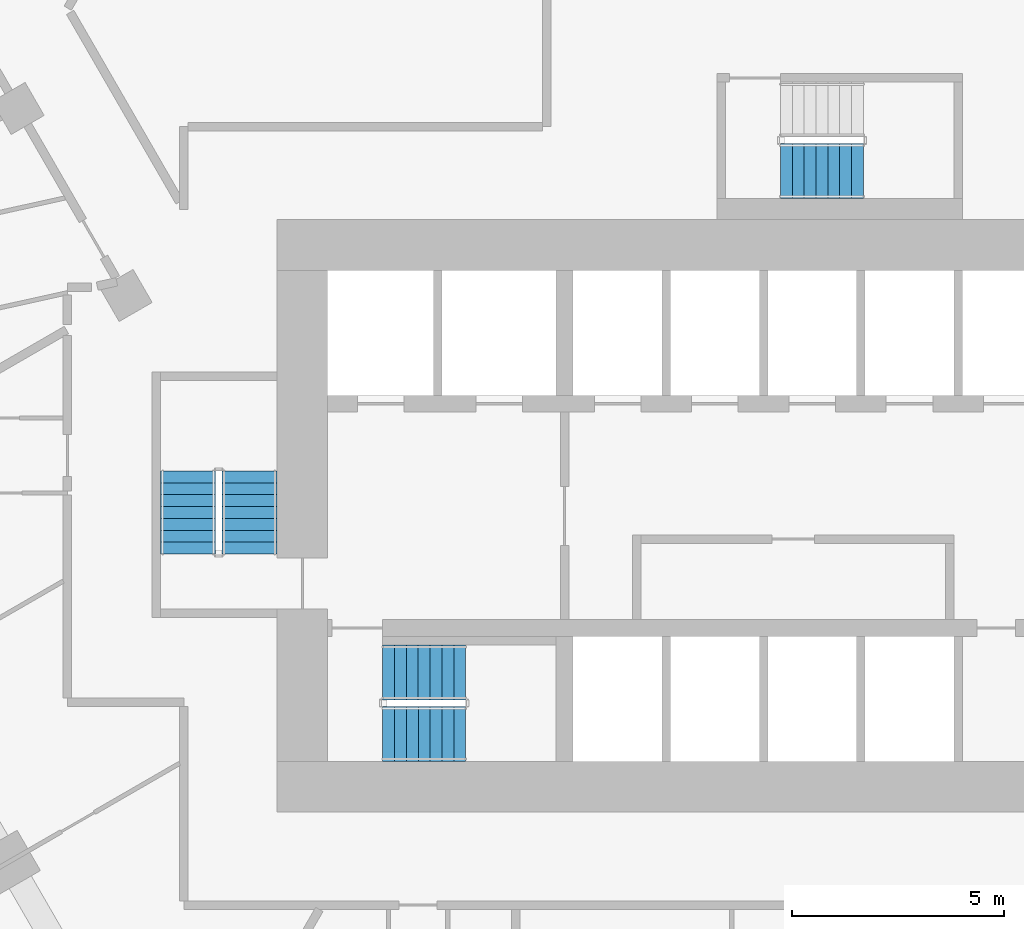
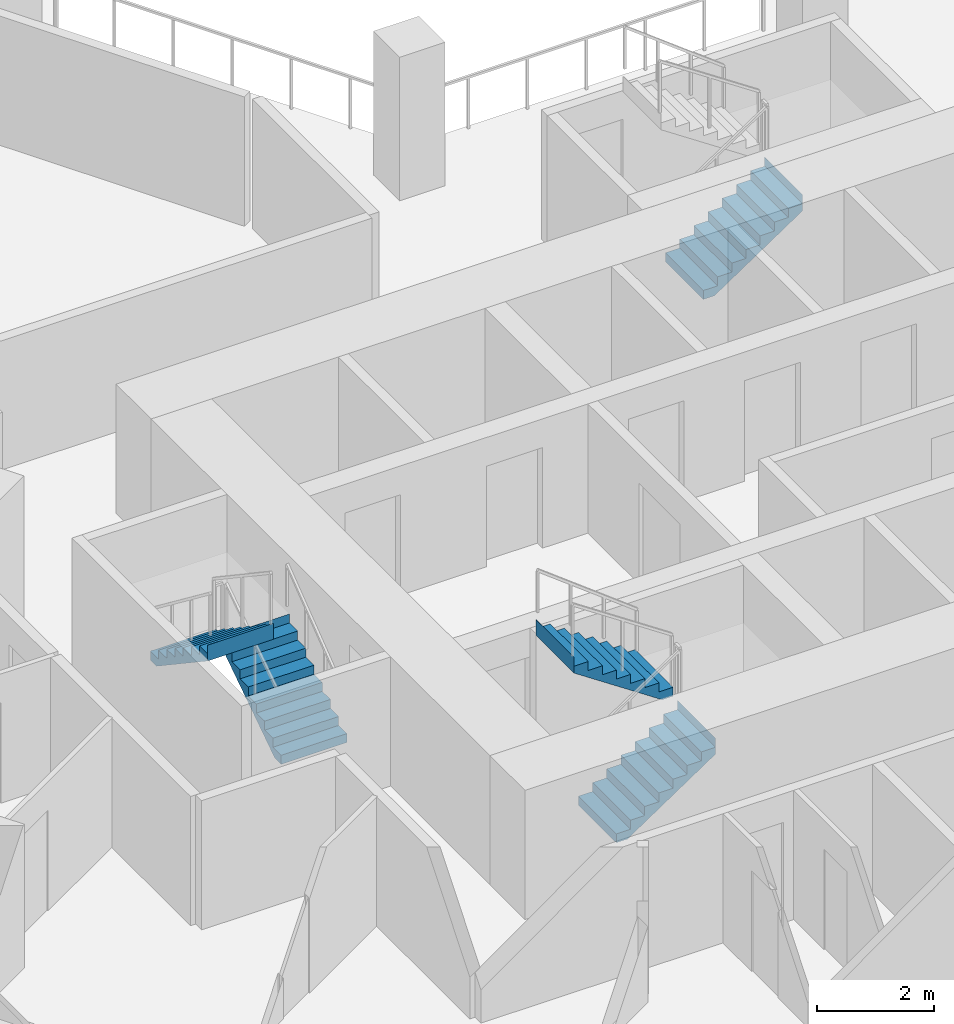
# One storey, part 16 of 21: 5 stair flights, 3 elements without a shape of their own.
"""IFC4 building model written with IfcOpenShell, lengths in metres."""

from ifc_helpers import new_model, si_unit, direction, frame, origin, place, context, subcontext, project, spatial, triangles, material, type_object, element, aggregate, save


model = new_model("IFC4")

# Units and contexts
model_context = context("Model", 3, precision=1e-05, world=origin(), true_north=direction((0.0, 1.0)))
body_context = subcontext(model_context, "Body", "Model", "MODEL_VIEW")
ifc_project = project(units=[si_unit("LENGTHUNIT", "METRE"), si_unit("AREAUNIT", "SQUARE_METRE"), si_unit("VOLUMEUNIT", "CUBIC_METRE"), si_unit("PLANEANGLEUNIT", "RADIAN"), si_unit("MASSUNIT", "GRAM", prefix="KILO")], contexts=[model_context])

# Site, building, storey
site_placement = place(None, origin())
site = spatial("IfcSite", under=ifc_project, at=site_placement, CompositionType="ELEMENT")
building_placement = place(site_placement, origin())
building = spatial("IfcBuilding", under=site, at=building_placement, Name="Beryl Residences", CompositionType="ELEMENT")
storey_placement = place(building_placement, frame((0.0, 0.0, 47.39990234375)))
storey = spatial("IfcBuildingStorey", under=building, at=storey_placement, Name="L14", CompositionType="ELEMENT", Elevation=47.39990234375)

# Stair, stair flights
ifc_material_1 = material(Name="Concrete C40/50", Category="concrete")
stair_type = type_object("IfcStairType", Name="ST1 protected exit stair, half-turn, 1300 mm flights", PredefinedType="HALF_TURN_STAIR", material=ifc_material_1)
stair_1_placement = place(storey_placement, origin())
stair_1 = element("IfcStair", 1, at=stair_1_placement, inside=storey, type_object=stair_type, Name="L14 PROTECTED EXIT STAIR ST-1", PredefinedType="HALF_TURN_STAIR")
ifc_material_2 = material(Name="Concrete C40/50", Category="concrete")
stair_flight_type = type_object("IfcStairFlightType", Name="SF1 stair flight 1300 mm", PredefinedType="STRAIGHT", material=ifc_material_2)
stair_flight_1_placement = place(storey_placement, frame((-10.800048828125, -17.14990234375, 0.0), z_axis=(0.0, 0.0, 1.0), x_axis=(1.0, 0.0, 0.0)))
stair_flight_1 = element("IfcStairFlight", 2, at=stair_flight_1_placement, type_object=stair_flight_type, Name="ST-1 flight 1", NumberOfRisers=8, NumberOfTreads=7, PredefinedType="STRAIGHT", RiserHeight=0.1875, TreadLength=0.28, context=body_context, shape_type="Tessellation", body=[
    triangles([(0.0, -0.64990234375, 0.0), (0.0, -0.324951171875, 0.0), (0.0, 0.0, 0.0), (0.0, 0.324951171875, 0.0), (0.0, 0.64990234375, 0.0), (0.0, -0.64990234375, 0.1875), (0.0, -0.324951171875, 0.1875), (0.0, 0.0, 0.1875), (0.0, 0.324951171875, 0.1875), (0.0, 0.64990234375, 0.1875), (0.280029296875, -0.64990234375, 0.1875), (0.280029296875, -0.324951171875, 0.1875), (0.280029296875, 0.0, 0.1875), (0.280029296875, 0.324951171875, 0.1875), (0.280029296875, 0.64990234375, 0.1875), (0.280029296875, -0.64990234375, 0.375), (0.280029296875, -0.324951171875, 0.375), (0.280029296875, 0.0, 0.375), (0.280029296875, 0.324951171875, 0.375), (0.280029296875, 0.64990234375, 0.375), (0.56005859375, -0.64990234375, 0.375), (0.56005859375, -0.324951171875, 0.375), (0.56005859375, 0.0, 0.375), (0.56005859375, 0.324951171875, 0.375), (0.56005859375, 0.64990234375, 0.375), (0.56005859375, -0.64990234375, 0.5625), (0.56005859375, -0.324951171875, 0.5625), (0.56005859375, 0.0, 0.5625), (0.56005859375, 0.324951171875, 0.5625), (0.56005859375, 0.64990234375, 0.5625), (0.840087890625, -0.64990234375, 0.5625), (0.840087890625, -0.324951171875, 0.5625), (0.840087890625, 0.0, 0.5625), (0.840087890625, 0.324951171875, 0.5625), (0.840087890625, 0.64990234375, 0.5625), (0.840087890625, -0.64990234375, 0.75), (0.840087890625, -0.324951171875, 0.75), (0.840087890625, 0.0, 0.75), (0.840087890625, 0.324951171875, 0.75), (0.840087890625, 0.64990234375, 0.75), (1.1201171875, -0.64990234375, 0.75), (1.1201171875, -0.324951171875, 0.75), (1.1201171875, 0.0, 0.75), (1.1201171875, 0.324951171875, 0.75), (1.1201171875, 0.64990234375, 0.75), (1.1201171875, -0.64990234375, 0.9375), (1.1201171875, -0.324951171875, 0.9375), (1.1201171875, 0.0, 0.9375), (1.1201171875, 0.324951171875, 0.9375), (1.1201171875, 0.64990234375, 0.9375), (1.39990234375, -0.64990234375, 0.9375), (1.39990234375, -0.324951171875, 0.9375), (1.39990234375, 0.0, 0.9375), (1.39990234375, 0.324951171875, 0.9375), (1.39990234375, 0.64990234375, 0.9375), (1.39990234375, -0.64990234375, 1.125), (1.39990234375, -0.324951171875, 1.125), (1.39990234375, 0.0, 1.125), (1.39990234375, 0.324951171875, 1.125), (1.39990234375, 0.64990234375, 1.125), (1.679931640625, -0.64990234375, 1.125), (1.679931640625, -0.324951171875, 1.125), (1.679931640625, 0.0, 1.125), (1.679931640625, 0.324951171875, 1.125), (1.679931640625, 0.64990234375, 1.125), (1.679931640625, -0.64990234375, 1.3125), (1.679931640625, -0.324951171875, 1.3125), (1.679931640625, 0.0, 1.3125), (1.679931640625, 0.324951171875, 1.3125), (1.679931640625, 0.64990234375, 1.3125), (1.9599609375, -0.64990234375, 1.3125), (1.9599609375, -0.324951171875, 1.3125), (1.9599609375, 0.0, 1.3125), (1.9599609375, 0.324951171875, 1.3125), (1.9599609375, 0.64990234375, 1.3125), (1.9599609375, -0.64990234375, 1.5), (1.9599609375, -0.324951171875, 1.5), (1.9599609375, 0.0, 1.5), (1.9599609375, 0.324951171875, 1.5), (1.9599609375, 0.64990234375, 1.5), (1.9609375, -0.64990234375, 1.5), (1.9609375, -0.324951171875, 1.5), (1.9609375, 0.0, 1.5), (1.9609375, 0.324951171875, 1.5), (1.9609375, 0.64990234375, 1.5), (1.9609375, -0.64990234375, 1.16796875), (1.9609375, -0.324951171875, 1.16796875), (1.9609375, 0.0, 1.16796875), (1.9609375, 0.324951171875, 1.16796875), (1.9609375, 0.64990234375, 1.16796875), (0.216796875, -0.64990234375, 0.0), (0.216796875, -0.324951171875, 0.0), (0.216796875, 0.0, 0.0), (0.216796875, 0.324951171875, 0.0), (0.216796875, 0.64990234375, 0.0)], [[1, 6, 7], [1, 7, 2], [2, 7, 8], [2, 8, 3], [3, 8, 9], [3, 9, 4], [4, 9, 10], [4, 10, 5], [6, 11, 12], [6, 12, 7], [7, 12, 13], [7, 13, 8], [8, 13, 14], [8, 14, 9], [9, 14, 15], [9, 15, 10], [11, 16, 17], [11, 17, 12], [12, 17, 18], [12, 18, 13], [13, 18, 19], [13, 19, 14], [14, 19, 20], [14, 20, 15], [16, 21, 22], [16, 22, 17], [17, 22, 23], [17, 23, 18], [18, 23, 24], [18, 24, 19], [19, 24, 25], [19, 25, 20], [21, 26, 27], [21, 27, 22], [22, 27, 28], [22, 28, 23], [23, 28, 29], [23, 29, 24], [24, 29, 30], [24, 30, 25], [26, 31, 32], [26, 32, 27], [27, 32, 33], [27, 33, 28], [28, 33, 34], [28, 34, 29], [29, 34, 35], [29, 35, 30], [31, 36, 37], [31, 37, 32], [32, 37, 38], [32, 38, 33], [33, 38, 39], [33, 39, 34], [34, 39, 40], [34, 40, 35], [36, 41, 42], [36, 42, 37], [37, 42, 43], [37, 43, 38], [38, 43, 44], [38, 44, 39], [39, 44, 45], [39, 45, 40], [41, 46, 47], [41, 47, 42], [42, 47, 48], [42, 48, 43], [43, 48, 49], [43, 49, 44], [44, 49, 50], [44, 50, 45], [46, 51, 52], [46, 52, 47], [47, 52, 53], [47, 53, 48], [48, 53, 54], [48, 54, 49], [49, 54, 55], [49, 55, 50], [51, 56, 57], [51, 57, 52], [52, 57, 58], [52, 58, 53], [53, 58, 59], [53, 59, 54], [54, 59, 60], [54, 60, 55], [56, 61, 62], [56, 62, 57], [57, 62, 63], [57, 63, 58], [58, 63, 64], [58, 64, 59], [59, 64, 65], [59, 65, 60], [61, 66, 67], [61, 67, 62], [62, 67, 68], [62, 68, 63], [63, 68, 69], [63, 69, 64], [64, 69, 70], [64, 70, 65], [66, 71, 72], [66, 72, 67], [67, 72, 73], [67, 73, 68], [68, 73, 74], [68, 74, 69], [69, 74, 75], [69, 75, 70], [71, 76, 77], [71, 77, 72], [72, 77, 78], [72, 78, 73], [73, 78, 79], [73, 79, 74], [74, 79, 80], [74, 80, 75], [76, 81, 82], [76, 82, 77], [77, 82, 83], [77, 83, 78], [78, 83, 84], [78, 84, 79], [79, 84, 85], [79, 85, 80], [81, 86, 87], [81, 87, 82], [82, 87, 88], [82, 88, 83], [83, 88, 89], [83, 89, 84], [84, 89, 90], [84, 90, 85], [86, 91, 92], [86, 92, 87], [87, 92, 93], [87, 93, 88], [88, 93, 94], [88, 94, 89], [89, 94, 95], [89, 95, 90], [91, 1, 2], [91, 2, 92], [92, 2, 3], [92, 3, 93], [93, 3, 4], [93, 4, 94], [94, 4, 5], [94, 5, 95], [1, 91, 86], [5, 90, 95], [86, 81, 76], [90, 80, 85], [86, 76, 71], [90, 75, 80], [86, 71, 66], [90, 70, 75], [86, 66, 61], [90, 65, 70], [61, 56, 51], [65, 55, 60], [86, 61, 51], [90, 55, 65], [51, 46, 41], [55, 45, 50], [86, 51, 41], [90, 45, 55], [41, 36, 31], [45, 35, 40], [86, 41, 31], [90, 35, 45], [31, 26, 21], [35, 25, 30], [86, 31, 21], [90, 25, 35], [21, 16, 11], [25, 15, 20], [86, 21, 11], [90, 15, 25], [1, 86, 11], [5, 15, 90], [11, 6, 1], [15, 5, 10]], closed=True),
])
stair_flight_2_placement = place(storey_placement, frame((-8.840087890625, -15.699951171875, 1.5), z_axis=(0.0, 0.0, 1.0), x_axis=(-1.0, 0.0, 0.0)))
stair_flight_2 = element("IfcStairFlight", 3, at=stair_flight_2_placement, type_object=stair_flight_type, Name="ST-1 flight 2", NumberOfRisers=8, NumberOfTreads=7, PredefinedType="STRAIGHT", RiserHeight=0.1875, TreadLength=0.28, context=body_context, shape_type="Tessellation", body=[
    triangles([(0.0, -0.64990234375, 0.0), (0.0, -0.324951171875, 0.0), (0.0, 0.0, 0.0), (0.0, 0.324951171875, 0.0), (0.0, 0.64990234375, 0.0), (0.0, -0.64990234375, 0.1875), (0.0, -0.324951171875, 0.1875), (0.0, 0.0, 0.1875), (0.0, 0.324951171875, 0.1875), (0.0, 0.64990234375, 0.1875), (0.280029296875, -0.64990234375, 0.1875), (0.280029296875, -0.324951171875, 0.1875), (0.280029296875, 0.0, 0.1875), (0.280029296875, 0.324951171875, 0.1875), (0.280029296875, 0.64990234375, 0.1875), (0.280029296875, -0.64990234375, 0.375), (0.280029296875, -0.324951171875, 0.375), (0.280029296875, 0.0, 0.375), (0.280029296875, 0.324951171875, 0.375), (0.280029296875, 0.64990234375, 0.375), (0.56005859375, -0.64990234375, 0.375), (0.56005859375, -0.324951171875, 0.375), (0.56005859375, 0.0, 0.375), (0.56005859375, 0.324951171875, 0.375), (0.56005859375, 0.64990234375, 0.375), (0.56005859375, -0.64990234375, 0.5625), (0.56005859375, -0.324951171875, 0.5625), (0.56005859375, 0.0, 0.5625), (0.56005859375, 0.324951171875, 0.5625), (0.56005859375, 0.64990234375, 0.5625), (0.840087890625, -0.64990234375, 0.5625), (0.840087890625, -0.324951171875, 0.5625), (0.840087890625, 0.0, 0.5625), (0.840087890625, 0.324951171875, 0.5625), (0.840087890625, 0.64990234375, 0.5625), (0.840087890625, -0.64990234375, 0.75), (0.840087890625, -0.324951171875, 0.75), (0.840087890625, 0.0, 0.75), (0.840087890625, 0.324951171875, 0.75), (0.840087890625, 0.64990234375, 0.75), (1.1201171875, -0.64990234375, 0.75), (1.1201171875, -0.324951171875, 0.75), (1.1201171875, 0.0, 0.75), (1.1201171875, 0.324951171875, 0.75), (1.1201171875, 0.64990234375, 0.75), (1.1201171875, -0.64990234375, 0.9375), (1.1201171875, -0.324951171875, 0.9375), (1.1201171875, 0.0, 0.9375), (1.1201171875, 0.324951171875, 0.9375), (1.1201171875, 0.64990234375, 0.9375), (1.39990234375, -0.64990234375, 0.9375), (1.39990234375, -0.324951171875, 0.9375), (1.39990234375, 0.0, 0.9375), (1.39990234375, 0.324951171875, 0.9375), (1.39990234375, 0.64990234375, 0.9375), (1.39990234375, -0.64990234375, 1.125), (1.39990234375, -0.324951171875, 1.125), (1.39990234375, 0.0, 1.125), (1.39990234375, 0.324951171875, 1.125), (1.39990234375, 0.64990234375, 1.125), (1.679931640625, -0.64990234375, 1.125), (1.679931640625, -0.324951171875, 1.125), (1.679931640625, 0.0, 1.125), (1.679931640625, 0.324951171875, 1.125), (1.679931640625, 0.64990234375, 1.125), (1.679931640625, -0.64990234375, 1.3125), (1.679931640625, -0.324951171875, 1.3125), (1.679931640625, 0.0, 1.3125), (1.679931640625, 0.324951171875, 1.3125), (1.679931640625, 0.64990234375, 1.3125), (1.9599609375, -0.64990234375, 1.3125), (1.9599609375, -0.324951171875, 1.3125), (1.9599609375, 0.0, 1.3125), (1.9599609375, 0.324951171875, 1.3125), (1.9599609375, 0.64990234375, 1.3125), (1.9599609375, -0.64990234375, 1.5), (1.9599609375, -0.324951171875, 1.5), (1.9599609375, 0.0, 1.5), (1.9599609375, 0.324951171875, 1.5), (1.9599609375, 0.64990234375, 1.5), (1.9609375, -0.64990234375, 1.5), (1.9609375, -0.324951171875, 1.5), (1.9609375, 0.0, 1.5), (1.9609375, 0.324951171875, 1.5), (1.9609375, 0.64990234375, 1.5), (1.9609375, -0.64990234375, 1.16796875), (1.9609375, -0.324951171875, 1.16796875), (1.9609375, 0.0, 1.16796875), (1.9609375, 0.324951171875, 1.16796875), (1.9609375, 0.64990234375, 1.16796875), (0.216796875, -0.64990234375, 0.0), (0.216796875, -0.324951171875, 0.0), (0.216796875, 0.0, 0.0), (0.216796875, 0.324951171875, 0.0), (0.216796875, 0.64990234375, 0.0)], [[1, 6, 7], [1, 7, 2], [2, 7, 8], [2, 8, 3], [3, 8, 9], [3, 9, 4], [4, 9, 10], [4, 10, 5], [6, 11, 12], [6, 12, 7], [7, 12, 13], [7, 13, 8], [8, 13, 14], [8, 14, 9], [9, 14, 15], [9, 15, 10], [11, 16, 17], [11, 17, 12], [12, 17, 18], [12, 18, 13], [13, 18, 19], [13, 19, 14], [14, 19, 20], [14, 20, 15], [16, 21, 22], [16, 22, 17], [17, 22, 23], [17, 23, 18], [18, 23, 24], [18, 24, 19], [19, 24, 25], [19, 25, 20], [21, 26, 27], [21, 27, 22], [22, 27, 28], [22, 28, 23], [23, 28, 29], [23, 29, 24], [24, 29, 30], [24, 30, 25], [26, 31, 32], [26, 32, 27], [27, 32, 33], [27, 33, 28], [28, 33, 34], [28, 34, 29], [29, 34, 35], [29, 35, 30], [31, 36, 37], [31, 37, 32], [32, 37, 38], [32, 38, 33], [33, 38, 39], [33, 39, 34], [34, 39, 40], [34, 40, 35], [36, 41, 42], [36, 42, 37], [37, 42, 43], [37, 43, 38], [38, 43, 44], [38, 44, 39], [39, 44, 45], [39, 45, 40], [41, 46, 47], [41, 47, 42], [42, 47, 48], [42, 48, 43], [43, 48, 49], [43, 49, 44], [44, 49, 50], [44, 50, 45], [46, 51, 52], [46, 52, 47], [47, 52, 53], [47, 53, 48], [48, 53, 54], [48, 54, 49], [49, 54, 55], [49, 55, 50], [51, 56, 57], [51, 57, 52], [52, 57, 58], [52, 58, 53], [53, 58, 59], [53, 59, 54], [54, 59, 60], [54, 60, 55], [56, 61, 62], [56, 62, 57], [57, 62, 63], [57, 63, 58], [58, 63, 64], [58, 64, 59], [59, 64, 65], [59, 65, 60], [61, 66, 67], [61, 67, 62], [62, 67, 68], [62, 68, 63], [63, 68, 69], [63, 69, 64], [64, 69, 70], [64, 70, 65], [66, 71, 72], [66, 72, 67], [67, 72, 73], [67, 73, 68], [68, 73, 74], [68, 74, 69], [69, 74, 75], [69, 75, 70], [71, 76, 77], [71, 77, 72], [72, 77, 78], [72, 78, 73], [73, 78, 79], [73, 79, 74], [74, 79, 80], [74, 80, 75], [76, 81, 82], [76, 82, 77], [77, 82, 83], [77, 83, 78], [78, 83, 84], [78, 84, 79], [79, 84, 85], [79, 85, 80], [81, 86, 87], [81, 87, 82], [82, 87, 88], [82, 88, 83], [83, 88, 89], [83, 89, 84], [84, 89, 90], [84, 90, 85], [86, 91, 92], [86, 92, 87], [87, 92, 93], [87, 93, 88], [88, 93, 94], [88, 94, 89], [89, 94, 95], [89, 95, 90], [91, 1, 2], [91, 2, 92], [92, 2, 3], [92, 3, 93], [93, 3, 4], [93, 4, 94], [94, 4, 5], [94, 5, 95], [1, 91, 86], [5, 90, 95], [86, 81, 76], [90, 80, 85], [86, 76, 71], [90, 75, 80], [86, 71, 66], [90, 70, 75], [86, 66, 61], [90, 65, 70], [61, 56, 51], [65, 55, 60], [86, 61, 51], [90, 55, 65], [51, 46, 41], [55, 45, 50], [86, 51, 41], [90, 45, 55], [41, 36, 31], [45, 35, 40], [86, 41, 31], [90, 35, 45], [31, 26, 21], [35, 25, 30], [86, 31, 21], [90, 25, 35], [21, 16, 11], [25, 15, 20], [86, 21, 11], [90, 15, 25], [1, 86, 11], [5, 15, 90], [11, 6, 1], [15, 5, 10]], closed=True),
])
aggregate(stair_1, [stair_flight_1, stair_flight_2])

stair_2_placement = place(storey_placement, origin())
stair_2 = element("IfcStair", 4, at=stair_2_placement, inside=storey, type_object=stair_type, Name="L14 PROTECTED EXIT STAIR ST-2", PredefinedType="HALF_TURN_STAIR")
stair_flight_3_placement = place(storey_placement, frame((-13.949951171875, -12.89990234375, 0.0), z_axis=(0.0, 0.0, 1.0), x_axis=(0.0, 1.0, 0.0)))
stair_flight_3 = element("IfcStairFlight", 5, at=stair_flight_3_placement, type_object=stair_flight_type, Name="ST-2 flight 1", NumberOfRisers=8, NumberOfTreads=7, PredefinedType="STRAIGHT", RiserHeight=0.1875, TreadLength=0.28, context=body_context, shape_type="Tessellation", body=[
    triangles([(0.0, -0.64990234375, 0.0), (0.0, -0.324951171875, 0.0), (0.0, 0.0, 0.0), (0.0, 0.324951171875, 0.0), (0.0, 0.64990234375, 0.0), (0.0, -0.64990234375, 0.1875), (0.0, -0.324951171875, 0.1875), (0.0, 0.0, 0.1875), (0.0, 0.324951171875, 0.1875), (0.0, 0.64990234375, 0.1875), (0.280029296875, -0.64990234375, 0.1875), (0.280029296875, -0.324951171875, 0.1875), (0.280029296875, 0.0, 0.1875), (0.280029296875, 0.324951171875, 0.1875), (0.280029296875, 0.64990234375, 0.1875), (0.280029296875, -0.64990234375, 0.375), (0.280029296875, -0.324951171875, 0.375), (0.280029296875, 0.0, 0.375), (0.280029296875, 0.324951171875, 0.375), (0.280029296875, 0.64990234375, 0.375), (0.56005859375, -0.64990234375, 0.375), (0.56005859375, -0.324951171875, 0.375), (0.56005859375, 0.0, 0.375), (0.56005859375, 0.324951171875, 0.375), (0.56005859375, 0.64990234375, 0.375), (0.56005859375, -0.64990234375, 0.5625), (0.56005859375, -0.324951171875, 0.5625), (0.56005859375, 0.0, 0.5625), (0.56005859375, 0.324951171875, 0.5625), (0.56005859375, 0.64990234375, 0.5625), (0.840087890625, -0.64990234375, 0.5625), (0.840087890625, -0.324951171875, 0.5625), (0.840087890625, 0.0, 0.5625), (0.840087890625, 0.324951171875, 0.5625), (0.840087890625, 0.64990234375, 0.5625), (0.840087890625, -0.64990234375, 0.75), (0.840087890625, -0.324951171875, 0.75), (0.840087890625, 0.0, 0.75), (0.840087890625, 0.324951171875, 0.75), (0.840087890625, 0.64990234375, 0.75), (1.1201171875, -0.64990234375, 0.75), (1.1201171875, -0.324951171875, 0.75), (1.1201171875, 0.0, 0.75), (1.1201171875, 0.324951171875, 0.75), (1.1201171875, 0.64990234375, 0.75), (1.1201171875, -0.64990234375, 0.9375), (1.1201171875, -0.324951171875, 0.9375), (1.1201171875, 0.0, 0.9375), (1.1201171875, 0.324951171875, 0.9375), (1.1201171875, 0.64990234375, 0.9375), (1.39990234375, -0.64990234375, 0.9375), (1.39990234375, -0.324951171875, 0.9375), (1.39990234375, 0.0, 0.9375), (1.39990234375, 0.324951171875, 0.9375), (1.39990234375, 0.64990234375, 0.9375), (1.39990234375, -0.64990234375, 1.125), (1.39990234375, -0.324951171875, 1.125), (1.39990234375, 0.0, 1.125), (1.39990234375, 0.324951171875, 1.125), (1.39990234375, 0.64990234375, 1.125), (1.679931640625, -0.64990234375, 1.125), (1.679931640625, -0.324951171875, 1.125), (1.679931640625, 0.0, 1.125), (1.679931640625, 0.324951171875, 1.125), (1.679931640625, 0.64990234375, 1.125), (1.679931640625, -0.64990234375, 1.3125), (1.679931640625, -0.324951171875, 1.3125), (1.679931640625, 0.0, 1.3125), (1.679931640625, 0.324951171875, 1.3125), (1.679931640625, 0.64990234375, 1.3125), (1.9599609375, -0.64990234375, 1.3125), (1.9599609375, -0.324951171875, 1.3125), (1.9599609375, 0.0, 1.3125), (1.9599609375, 0.324951171875, 1.3125), (1.9599609375, 0.64990234375, 1.3125), (1.9599609375, -0.64990234375, 1.5), (1.9599609375, -0.324951171875, 1.5), (1.9599609375, 0.0, 1.5), (1.9599609375, 0.324951171875, 1.5), (1.9599609375, 0.64990234375, 1.5), (1.9609375, -0.64990234375, 1.5), (1.9609375, -0.324951171875, 1.5), (1.9609375, 0.0, 1.5), (1.9609375, 0.324951171875, 1.5), (1.9609375, 0.64990234375, 1.5), (1.9609375, -0.64990234375, 1.16796875), (1.9609375, -0.324951171875, 1.16796875), (1.9609375, 0.0, 1.16796875), (1.9609375, 0.324951171875, 1.16796875), (1.9609375, 0.64990234375, 1.16796875), (0.216796875, -0.64990234375, 0.0), (0.216796875, -0.324951171875, 0.0), (0.216796875, 0.0, 0.0), (0.216796875, 0.324951171875, 0.0), (0.216796875, 0.64990234375, 0.0)], [[1, 6, 7], [1, 7, 2], [2, 7, 8], [2, 8, 3], [3, 8, 9], [3, 9, 4], [4, 9, 10], [4, 10, 5], [6, 11, 12], [6, 12, 7], [7, 12, 13], [7, 13, 8], [8, 13, 14], [8, 14, 9], [9, 14, 15], [9, 15, 10], [11, 16, 17], [11, 17, 12], [12, 17, 18], [12, 18, 13], [13, 18, 19], [13, 19, 14], [14, 19, 20], [14, 20, 15], [16, 21, 22], [16, 22, 17], [17, 22, 23], [17, 23, 18], [18, 23, 24], [18, 24, 19], [19, 24, 25], [19, 25, 20], [21, 26, 27], [21, 27, 22], [22, 27, 28], [22, 28, 23], [23, 28, 29], [23, 29, 24], [24, 29, 30], [24, 30, 25], [26, 31, 32], [26, 32, 27], [27, 32, 33], [27, 33, 28], [28, 33, 34], [28, 34, 29], [29, 34, 35], [29, 35, 30], [31, 36, 37], [31, 37, 32], [32, 37, 38], [32, 38, 33], [33, 38, 39], [33, 39, 34], [34, 39, 40], [34, 40, 35], [36, 41, 42], [36, 42, 37], [37, 42, 43], [37, 43, 38], [38, 43, 44], [38, 44, 39], [39, 44, 45], [39, 45, 40], [41, 46, 47], [41, 47, 42], [42, 47, 48], [42, 48, 43], [43, 48, 49], [43, 49, 44], [44, 49, 50], [44, 50, 45], [46, 51, 52], [46, 52, 47], [47, 52, 53], [47, 53, 48], [48, 53, 54], [48, 54, 49], [49, 54, 55], [49, 55, 50], [51, 56, 57], [51, 57, 52], [52, 57, 58], [52, 58, 53], [53, 58, 59], [53, 59, 54], [54, 59, 60], [54, 60, 55], [56, 61, 62], [56, 62, 57], [57, 62, 63], [57, 63, 58], [58, 63, 64], [58, 64, 59], [59, 64, 65], [59, 65, 60], [61, 66, 67], [61, 67, 62], [62, 67, 68], [62, 68, 63], [63, 68, 69], [63, 69, 64], [64, 69, 70], [64, 70, 65], [66, 71, 72], [66, 72, 67], [67, 72, 73], [67, 73, 68], [68, 73, 74], [68, 74, 69], [69, 74, 75], [69, 75, 70], [71, 76, 77], [71, 77, 72], [72, 77, 78], [72, 78, 73], [73, 78, 79], [73, 79, 74], [74, 79, 80], [74, 80, 75], [76, 81, 82], [76, 82, 77], [77, 82, 83], [77, 83, 78], [78, 83, 84], [78, 84, 79], [79, 84, 85], [79, 85, 80], [81, 86, 87], [81, 87, 82], [82, 87, 88], [82, 88, 83], [83, 88, 89], [83, 89, 84], [84, 89, 90], [84, 90, 85], [86, 91, 92], [86, 92, 87], [87, 92, 93], [87, 93, 88], [88, 93, 94], [88, 94, 89], [89, 94, 95], [89, 95, 90], [91, 1, 2], [91, 2, 92], [92, 2, 3], [92, 3, 93], [93, 3, 4], [93, 4, 94], [94, 4, 5], [94, 5, 95], [1, 91, 86], [5, 90, 95], [86, 81, 76], [90, 80, 85], [86, 76, 71], [90, 75, 80], [86, 71, 66], [90, 70, 75], [86, 66, 61], [90, 65, 70], [61, 56, 51], [65, 55, 60], [86, 61, 51], [90, 55, 65], [51, 46, 41], [55, 45, 50], [86, 51, 41], [90, 45, 55], [41, 36, 31], [45, 35, 40], [86, 41, 31], [90, 35, 45], [31, 26, 21], [35, 25, 30], [86, 31, 21], [90, 25, 35], [21, 16, 11], [25, 15, 20], [86, 21, 11], [90, 15, 25], [1, 86, 11], [5, 15, 90], [11, 6, 1], [15, 5, 10]], closed=True),
])
stair_flight_4_placement = place(storey_placement, frame((-15.39990234375, -10.93994140625, 1.5), z_axis=(0.0, 0.0, 1.0), x_axis=(0.0, -1.0, 0.0)))
stair_flight_4 = element("IfcStairFlight", 6, at=stair_flight_4_placement, type_object=stair_flight_type, Name="ST-2 flight 2", NumberOfRisers=8, NumberOfTreads=7, PredefinedType="STRAIGHT", RiserHeight=0.1875, TreadLength=0.28, context=body_context, shape_type="Tessellation", body=[
    triangles([(0.0, -0.64990234375, 0.0), (0.0, -0.324951171875, 0.0), (0.0, 0.0, 0.0), (0.0, 0.324951171875, 0.0), (0.0, 0.64990234375, 0.0), (0.0, -0.64990234375, 0.1875), (0.0, -0.324951171875, 0.1875), (0.0, 0.0, 0.1875), (0.0, 0.324951171875, 0.1875), (0.0, 0.64990234375, 0.1875), (0.280029296875, -0.64990234375, 0.1875), (0.280029296875, -0.324951171875, 0.1875), (0.280029296875, 0.0, 0.1875), (0.280029296875, 0.324951171875, 0.1875), (0.280029296875, 0.64990234375, 0.1875), (0.280029296875, -0.64990234375, 0.375), (0.280029296875, -0.324951171875, 0.375), (0.280029296875, 0.0, 0.375), (0.280029296875, 0.324951171875, 0.375), (0.280029296875, 0.64990234375, 0.375), (0.56005859375, -0.64990234375, 0.375), (0.56005859375, -0.324951171875, 0.375), (0.56005859375, 0.0, 0.375), (0.56005859375, 0.324951171875, 0.375), (0.56005859375, 0.64990234375, 0.375), (0.56005859375, -0.64990234375, 0.5625), (0.56005859375, -0.324951171875, 0.5625), (0.56005859375, 0.0, 0.5625), (0.56005859375, 0.324951171875, 0.5625), (0.56005859375, 0.64990234375, 0.5625), (0.840087890625, -0.64990234375, 0.5625), (0.840087890625, -0.324951171875, 0.5625), (0.840087890625, 0.0, 0.5625), (0.840087890625, 0.324951171875, 0.5625), (0.840087890625, 0.64990234375, 0.5625), (0.840087890625, -0.64990234375, 0.75), (0.840087890625, -0.324951171875, 0.75), (0.840087890625, 0.0, 0.75), (0.840087890625, 0.324951171875, 0.75), (0.840087890625, 0.64990234375, 0.75), (1.1201171875, -0.64990234375, 0.75), (1.1201171875, -0.324951171875, 0.75), (1.1201171875, 0.0, 0.75), (1.1201171875, 0.324951171875, 0.75), (1.1201171875, 0.64990234375, 0.75), (1.1201171875, -0.64990234375, 0.9375), (1.1201171875, -0.324951171875, 0.9375), (1.1201171875, 0.0, 0.9375), (1.1201171875, 0.324951171875, 0.9375), (1.1201171875, 0.64990234375, 0.9375), (1.39990234375, -0.64990234375, 0.9375), (1.39990234375, -0.324951171875, 0.9375), (1.39990234375, 0.0, 0.9375), (1.39990234375, 0.324951171875, 0.9375), (1.39990234375, 0.64990234375, 0.9375), (1.39990234375, -0.64990234375, 1.125), (1.39990234375, -0.324951171875, 1.125), (1.39990234375, 0.0, 1.125), (1.39990234375, 0.324951171875, 1.125), (1.39990234375, 0.64990234375, 1.125), (1.679931640625, -0.64990234375, 1.125), (1.679931640625, -0.324951171875, 1.125), (1.679931640625, 0.0, 1.125), (1.679931640625, 0.324951171875, 1.125), (1.679931640625, 0.64990234375, 1.125), (1.679931640625, -0.64990234375, 1.3125), (1.679931640625, -0.324951171875, 1.3125), (1.679931640625, 0.0, 1.3125), (1.679931640625, 0.324951171875, 1.3125), (1.679931640625, 0.64990234375, 1.3125), (1.9599609375, -0.64990234375, 1.3125), (1.9599609375, -0.324951171875, 1.3125), (1.9599609375, 0.0, 1.3125), (1.9599609375, 0.324951171875, 1.3125), (1.9599609375, 0.64990234375, 1.3125), (1.9599609375, -0.64990234375, 1.5), (1.9599609375, -0.324951171875, 1.5), (1.9599609375, 0.0, 1.5), (1.9599609375, 0.324951171875, 1.5), (1.9599609375, 0.64990234375, 1.5), (1.9609375, -0.64990234375, 1.5), (1.9609375, -0.324951171875, 1.5), (1.9609375, 0.0, 1.5), (1.9609375, 0.324951171875, 1.5), (1.9609375, 0.64990234375, 1.5), (1.9609375, -0.64990234375, 1.16796875), (1.9609375, -0.324951171875, 1.16796875), (1.9609375, 0.0, 1.16796875), (1.9609375, 0.324951171875, 1.16796875), (1.9609375, 0.64990234375, 1.16796875), (0.216796875, -0.64990234375, 0.0), (0.216796875, -0.324951171875, 0.0), (0.216796875, 0.0, 0.0), (0.216796875, 0.324951171875, 0.0), (0.216796875, 0.64990234375, 0.0)], [[1, 6, 7], [1, 7, 2], [2, 7, 8], [2, 8, 3], [3, 8, 9], [3, 9, 4], [4, 9, 10], [4, 10, 5], [6, 11, 12], [6, 12, 7], [7, 12, 13], [7, 13, 8], [8, 13, 14], [8, 14, 9], [9, 14, 15], [9, 15, 10], [11, 16, 17], [11, 17, 12], [12, 17, 18], [12, 18, 13], [13, 18, 19], [13, 19, 14], [14, 19, 20], [14, 20, 15], [16, 21, 22], [16, 22, 17], [17, 22, 23], [17, 23, 18], [18, 23, 24], [18, 24, 19], [19, 24, 25], [19, 25, 20], [21, 26, 27], [21, 27, 22], [22, 27, 28], [22, 28, 23], [23, 28, 29], [23, 29, 24], [24, 29, 30], [24, 30, 25], [26, 31, 32], [26, 32, 27], [27, 32, 33], [27, 33, 28], [28, 33, 34], [28, 34, 29], [29, 34, 35], [29, 35, 30], [31, 36, 37], [31, 37, 32], [32, 37, 38], [32, 38, 33], [33, 38, 39], [33, 39, 34], [34, 39, 40], [34, 40, 35], [36, 41, 42], [36, 42, 37], [37, 42, 43], [37, 43, 38], [38, 43, 44], [38, 44, 39], [39, 44, 45], [39, 45, 40], [41, 46, 47], [41, 47, 42], [42, 47, 48], [42, 48, 43], [43, 48, 49], [43, 49, 44], [44, 49, 50], [44, 50, 45], [46, 51, 52], [46, 52, 47], [47, 52, 53], [47, 53, 48], [48, 53, 54], [48, 54, 49], [49, 54, 55], [49, 55, 50], [51, 56, 57], [51, 57, 52], [52, 57, 58], [52, 58, 53], [53, 58, 59], [53, 59, 54], [54, 59, 60], [54, 60, 55], [56, 61, 62], [56, 62, 57], [57, 62, 63], [57, 63, 58], [58, 63, 64], [58, 64, 59], [59, 64, 65], [59, 65, 60], [61, 66, 67], [61, 67, 62], [62, 67, 68], [62, 68, 63], [63, 68, 69], [63, 69, 64], [64, 69, 70], [64, 70, 65], [66, 71, 72], [66, 72, 67], [67, 72, 73], [67, 73, 68], [68, 73, 74], [68, 74, 69], [69, 74, 75], [69, 75, 70], [71, 76, 77], [71, 77, 72], [72, 77, 78], [72, 78, 73], [73, 78, 79], [73, 79, 74], [74, 79, 80], [74, 80, 75], [76, 81, 82], [76, 82, 77], [77, 82, 83], [77, 83, 78], [78, 83, 84], [78, 84, 79], [79, 84, 85], [79, 85, 80], [81, 86, 87], [81, 87, 82], [82, 87, 88], [82, 88, 83], [83, 88, 89], [83, 89, 84], [84, 89, 90], [84, 90, 85], [86, 91, 92], [86, 92, 87], [87, 92, 93], [87, 93, 88], [88, 93, 94], [88, 94, 89], [89, 94, 95], [89, 95, 90], [91, 1, 2], [91, 2, 92], [92, 2, 3], [92, 3, 93], [93, 3, 4], [93, 4, 94], [94, 4, 5], [94, 5, 95], [1, 91, 86], [5, 90, 95], [86, 81, 76], [90, 80, 85], [86, 76, 71], [90, 75, 80], [86, 71, 66], [90, 70, 75], [86, 66, 61], [90, 65, 70], [61, 56, 51], [65, 55, 60], [86, 61, 51], [90, 55, 65], [51, 46, 41], [55, 45, 50], [86, 51, 41], [90, 45, 55], [41, 36, 31], [45, 35, 40], [86, 41, 31], [90, 35, 45], [31, 26, 21], [35, 25, 30], [86, 31, 21], [90, 25, 35], [21, 16, 11], [25, 15, 20], [86, 21, 11], [90, 15, 25], [1, 86, 11], [5, 15, 90], [11, 6, 1], [15, 5, 10]], closed=True),
])
aggregate(stair_2, [stair_flight_3, stair_flight_4])

# Stair, stair flight
stair_3_placement = place(storey_placement, origin())
stair_3 = element("IfcStair", 7, at=stair_3_placement, inside=storey, type_object=stair_type, Name="L14 PROTECTED EXIT STAIR ST-4", PredefinedType="HALF_TURN_STAIR")
stair_flight_5_placement = place(storey_placement, frame((-1.39990234375, -3.85009765625, 0.0), z_axis=(0.0, 0.0, 1.0), x_axis=(1.0, 0.0, 0.0)))
stair_flight_5 = element("IfcStairFlight", 8, at=stair_flight_5_placement, type_object=stair_flight_type, Name="ST-4 flight 1", NumberOfRisers=8, NumberOfTreads=7, PredefinedType="STRAIGHT", RiserHeight=0.1875, TreadLength=0.28, context=body_context, shape_type="Tessellation", body=[
    triangles([(0.0, -0.64990234375, 0.0), (0.0, -0.324951171875, 0.0), (0.0, 0.0, 0.0), (0.0, 0.324951171875, 0.0), (0.0, 0.64990234375, 0.0), (0.0, -0.64990234375, 0.1875), (0.0, -0.324951171875, 0.1875), (0.0, 0.0, 0.1875), (0.0, 0.324951171875, 0.1875), (0.0, 0.64990234375, 0.1875), (0.280029296875, -0.64990234375, 0.1875), (0.280029296875, -0.324951171875, 0.1875), (0.280029296875, 0.0, 0.1875), (0.280029296875, 0.324951171875, 0.1875), (0.280029296875, 0.64990234375, 0.1875), (0.280029296875, -0.64990234375, 0.375), (0.280029296875, -0.324951171875, 0.375), (0.280029296875, 0.0, 0.375), (0.280029296875, 0.324951171875, 0.375), (0.280029296875, 0.64990234375, 0.375), (0.56005859375, -0.64990234375, 0.375), (0.56005859375, -0.324951171875, 0.375), (0.56005859375, 0.0, 0.375), (0.56005859375, 0.324951171875, 0.375), (0.56005859375, 0.64990234375, 0.375), (0.56005859375, -0.64990234375, 0.5625), (0.56005859375, -0.324951171875, 0.5625), (0.56005859375, 0.0, 0.5625), (0.56005859375, 0.324951171875, 0.5625), (0.56005859375, 0.64990234375, 0.5625), (0.840087890625, -0.64990234375, 0.5625), (0.840087890625, -0.324951171875, 0.5625), (0.840087890625, 0.0, 0.5625), (0.840087890625, 0.324951171875, 0.5625), (0.840087890625, 0.64990234375, 0.5625), (0.840087890625, -0.64990234375, 0.75), (0.840087890625, -0.324951171875, 0.75), (0.840087890625, 0.0, 0.75), (0.840087890625, 0.324951171875, 0.75), (0.840087890625, 0.64990234375, 0.75), (1.1201171875, -0.64990234375, 0.75), (1.1201171875, -0.324951171875, 0.75), (1.1201171875, 0.0, 0.75), (1.1201171875, 0.324951171875, 0.75), (1.1201171875, 0.64990234375, 0.75), (1.1201171875, -0.64990234375, 0.9375), (1.1201171875, -0.324951171875, 0.9375), (1.1201171875, 0.0, 0.9375), (1.1201171875, 0.324951171875, 0.9375), (1.1201171875, 0.64990234375, 0.9375), (1.39990234375, -0.64990234375, 0.9375), (1.39990234375, -0.324951171875, 0.9375), (1.39990234375, 0.0, 0.9375), (1.39990234375, 0.324951171875, 0.9375), (1.39990234375, 0.64990234375, 0.9375), (1.39990234375, -0.64990234375, 1.125), (1.39990234375, -0.324951171875, 1.125), (1.39990234375, 0.0, 1.125), (1.39990234375, 0.324951171875, 1.125), (1.39990234375, 0.64990234375, 1.125), (1.679931640625, -0.64990234375, 1.125), (1.679931640625, -0.324951171875, 1.125), (1.679931640625, 0.0, 1.125), (1.679931640625, 0.324951171875, 1.125), (1.679931640625, 0.64990234375, 1.125), (1.679931640625, -0.64990234375, 1.3125), (1.679931640625, -0.324951171875, 1.3125), (1.679931640625, 0.0, 1.3125), (1.679931640625, 0.324951171875, 1.3125), (1.679931640625, 0.64990234375, 1.3125), (1.9599609375, -0.64990234375, 1.3125), (1.9599609375, -0.324951171875, 1.3125), (1.9599609375, 0.0, 1.3125), (1.9599609375, 0.324951171875, 1.3125), (1.9599609375, 0.64990234375, 1.3125), (1.9599609375, -0.64990234375, 1.5), (1.9599609375, -0.324951171875, 1.5), (1.9599609375, 0.0, 1.5), (1.9599609375, 0.324951171875, 1.5), (1.9599609375, 0.64990234375, 1.5), (1.9609375, -0.64990234375, 1.5), (1.9609375, -0.324951171875, 1.5), (1.9609375, 0.0, 1.5), (1.9609375, 0.324951171875, 1.5), (1.9609375, 0.64990234375, 1.5), (1.9609375, -0.64990234375, 1.16796875), (1.9609375, -0.324951171875, 1.16796875), (1.9609375, 0.0, 1.16796875), (1.9609375, 0.324951171875, 1.16796875), (1.9609375, 0.64990234375, 1.16796875), (0.216796875, -0.64990234375, 0.0), (0.216796875, -0.324951171875, 0.0), (0.216796875, 0.0, 0.0), (0.216796875, 0.324951171875, 0.0), (0.216796875, 0.64990234375, 0.0)], [[1, 6, 7], [1, 7, 2], [2, 7, 8], [2, 8, 3], [3, 8, 9], [3, 9, 4], [4, 9, 10], [4, 10, 5], [6, 11, 12], [6, 12, 7], [7, 12, 13], [7, 13, 8], [8, 13, 14], [8, 14, 9], [9, 14, 15], [9, 15, 10], [11, 16, 17], [11, 17, 12], [12, 17, 18], [12, 18, 13], [13, 18, 19], [13, 19, 14], [14, 19, 20], [14, 20, 15], [16, 21, 22], [16, 22, 17], [17, 22, 23], [17, 23, 18], [18, 23, 24], [18, 24, 19], [19, 24, 25], [19, 25, 20], [21, 26, 27], [21, 27, 22], [22, 27, 28], [22, 28, 23], [23, 28, 29], [23, 29, 24], [24, 29, 30], [24, 30, 25], [26, 31, 32], [26, 32, 27], [27, 32, 33], [27, 33, 28], [28, 33, 34], [28, 34, 29], [29, 34, 35], [29, 35, 30], [31, 36, 37], [31, 37, 32], [32, 37, 38], [32, 38, 33], [33, 38, 39], [33, 39, 34], [34, 39, 40], [34, 40, 35], [36, 41, 42], [36, 42, 37], [37, 42, 43], [37, 43, 38], [38, 43, 44], [38, 44, 39], [39, 44, 45], [39, 45, 40], [41, 46, 47], [41, 47, 42], [42, 47, 48], [42, 48, 43], [43, 48, 49], [43, 49, 44], [44, 49, 50], [44, 50, 45], [46, 51, 52], [46, 52, 47], [47, 52, 53], [47, 53, 48], [48, 53, 54], [48, 54, 49], [49, 54, 55], [49, 55, 50], [51, 56, 57], [51, 57, 52], [52, 57, 58], [52, 58, 53], [53, 58, 59], [53, 59, 54], [54, 59, 60], [54, 60, 55], [56, 61, 62], [56, 62, 57], [57, 62, 63], [57, 63, 58], [58, 63, 64], [58, 64, 59], [59, 64, 65], [59, 65, 60], [61, 66, 67], [61, 67, 62], [62, 67, 68], [62, 68, 63], [63, 68, 69], [63, 69, 64], [64, 69, 70], [64, 70, 65], [66, 71, 72], [66, 72, 67], [67, 72, 73], [67, 73, 68], [68, 73, 74], [68, 74, 69], [69, 74, 75], [69, 75, 70], [71, 76, 77], [71, 77, 72], [72, 77, 78], [72, 78, 73], [73, 78, 79], [73, 79, 74], [74, 79, 80], [74, 80, 75], [76, 81, 82], [76, 82, 77], [77, 82, 83], [77, 83, 78], [78, 83, 84], [78, 84, 79], [79, 84, 85], [79, 85, 80], [81, 86, 87], [81, 87, 82], [82, 87, 88], [82, 88, 83], [83, 88, 89], [83, 89, 84], [84, 89, 90], [84, 90, 85], [86, 91, 92], [86, 92, 87], [87, 92, 93], [87, 93, 88], [88, 93, 94], [88, 94, 89], [89, 94, 95], [89, 95, 90], [91, 1, 2], [91, 2, 92], [92, 2, 3], [92, 3, 93], [93, 3, 4], [93, 4, 94], [94, 4, 5], [94, 5, 95], [1, 91, 86], [5, 90, 95], [86, 81, 76], [90, 80, 85], [86, 76, 71], [90, 75, 80], [86, 71, 66], [90, 70, 75], [86, 66, 61], [90, 65, 70], [61, 56, 51], [65, 55, 60], [86, 61, 51], [90, 55, 65], [51, 46, 41], [55, 45, 50], [86, 51, 41], [90, 45, 55], [41, 36, 31], [45, 35, 40], [86, 41, 31], [90, 35, 45], [31, 26, 21], [35, 25, 30], [86, 31, 21], [90, 25, 35], [21, 16, 11], [25, 15, 20], [86, 21, 11], [90, 15, 25], [1, 86, 11], [5, 15, 90], [11, 6, 1], [15, 5, 10]], closed=True),
])
aggregate(stair_3, [stair_flight_5])

save(model, "model.ifc")
